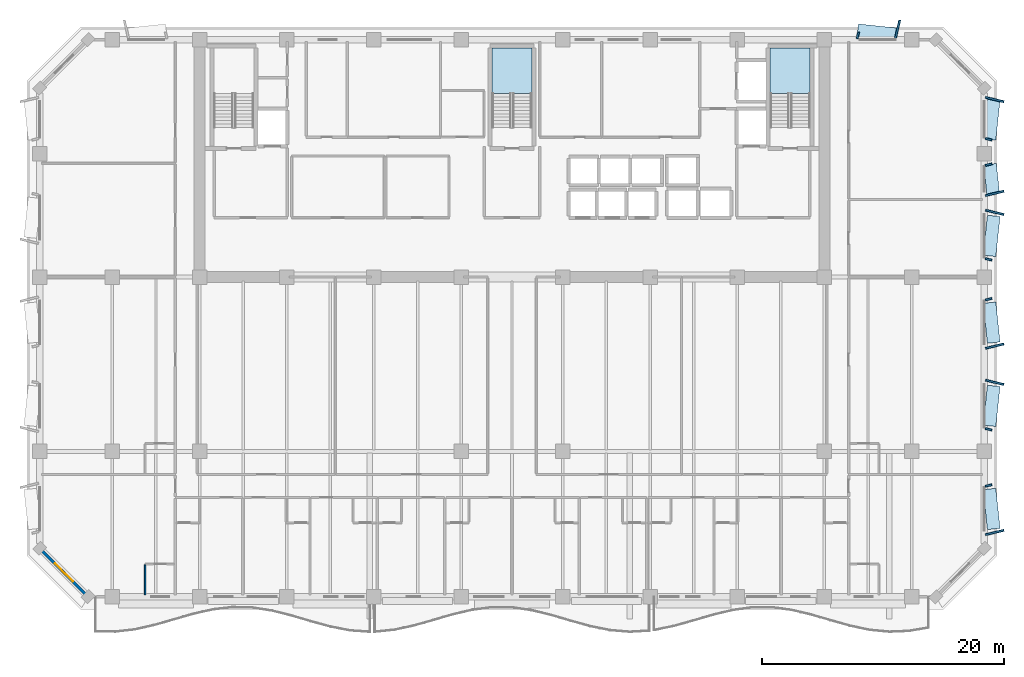
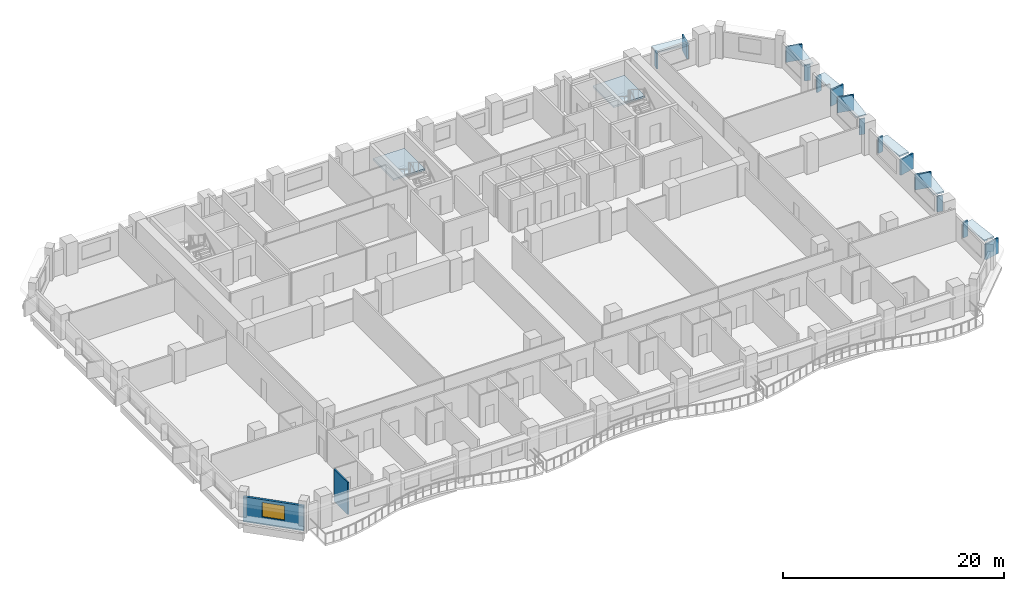
# One storey, part 3 of 15: 21 plates, 2 slabs, 2 walls, 1 window, 1 opening, 2 elements without a shape of their own.
"""IFC4 building model written with IfcOpenShell, lengths in metres."""

from ifc_helpers import new_model, si_unit, direction, frame, frame_2d, origin, origin_2d, place, context, subcontext, project, spatial, polyline, rectangle, outline, extrude, material, layer, layer_set, type_object, element, fill, aggregate, save


model = new_model("IFC4")

# Units and contexts
model_context = context("Model", 3, precision=1e-05, world=origin(), true_north=direction((0.0, 1.0)))
body_context = subcontext(model_context, "Body", "Model", "MODEL_VIEW")
ifc_project = project(units=[si_unit("LENGTHUNIT", "METRE"), si_unit("AREAUNIT", "SQUARE_METRE"), si_unit("VOLUMEUNIT", "CUBIC_METRE"), si_unit("PLANEANGLEUNIT", "RADIAN"), si_unit("MASSUNIT", "GRAM", prefix="KILO")], contexts=[model_context])

# Site, building, storey
site_placement = place(None, origin())
site = spatial("IfcSite", under=ifc_project, at=site_placement, CompositionType="ELEMENT")
building_placement = place(site_placement, origin())
building = spatial("IfcBuilding", under=site, at=building_placement, Name="Kaelvorn Grand Hotel", CompositionType="ELEMENT")
storey_placement = place(building_placement, frame((0.0, 0.0, 142.949951171875)))
storey = spatial("IfcBuildingStorey", under=building, at=storey_placement, Name="L34", CompositionType="ELEMENT", Elevation=142.949951171875)

# Plates
ifc_material_1 = material(Name="Precast concrete C45/55", Category="concrete")
ifc_layer_1 = layer(ifc_material_1, 0.159912109375)
ifc_layer_set_1 = layer_set([ifc_layer_1], Name="Precast concrete C45/55")
plate_type_1 = type_object("IfcPlateType", Name="PL-FRAME-DEEP-1550", PredefinedType="USERDEFINED", material=ifc_layer_set_1)
for number, where, z_axis, x_axis, name in (
    (1, (81.85498046875, 8.31005859375, 0.81494140625), (0.0, 0.0, 1.0), (-0.233445363856, 0.972369920398, 0.0), "L34 Tilted Precast Window Frame Fin L-E01"),
    (2, (81.85498046875, 20.705078125, 0.81494140625), (0.0, 0.0, 1.0), (0.233445363856, 0.972369920398, 0.0), "L34 Tilted Precast Window Frame Fin R-E02"),
    (3, (81.85498046875, 23.695068359375, 0.81494140625), (0.0, 0.0, 1.0), (-0.233445363856, 0.972369920398, 0.0), "L34 Tilted Precast Window Frame Fin L-E03"),
    (4, (81.85498046875, 34.739990234375, 0.81494140625), (0.0, 0.0, 1.0), (0.233445363856, 0.972369920398, 0.0), "L34 Tilted Precast Window Frame Fin R-E04"),
    (5, (81.85498046875, 36.31005859375, 0.7900390625), (0.0, 0.0, 1.0), (-0.233445363856, 0.972369920398, 0.0), "L34 Tilted Precast Window Frame Fin L-E05"),
    (6, (81.85498046875, 44.054931640625, 0.740234375), (0.0, 0.0, 1.0), (0.233445363856, 0.972369920398, 0.0), "L34 Tilted Precast Window Frame Fin R-E06"),
    (7, (73.840087890625, 49.85498046875, 0.740234375), (0.0, 0.0, 1.0), (0.972369920398, -0.233445363856, 0.0), "L34 Tilted Precast Window Frame Fin R-N02"),
):
    element("IfcPlate", number, at=place(storey_placement, frame(where, z_axis=z_axis, x_axis=x_axis)), inside=storey, type_object=plate_type_1, Name=name, ObjectType="FLANGE_PLATE", PredefinedType="USERDEFINED", context=body_context, shape_type="SweptSolid", body=[
        extrude(rectangle(XDim=0.159912109375, YDim=1.550048828125, at=origin_2d()), origin(), (0.0, 0.0, 1.0), 1.719970703125),
    ])
ifc_layer_2 = layer(ifc_material_1, 0.159912109375)
ifc_layer_set_2 = layer_set([ifc_layer_2], Name="Precast concrete C45/55")
plate_type_2 = type_object("IfcPlateType", Name="PL-FRAME-HEAD-1050", PredefinedType="USERDEFINED", material=ifc_layer_set_2)
for number, where, z_axis, x_axis, name in (
    (8, (81.60498046875, 10.25, 2.5), (0.0, 0.0, 1.0), (-0.105830199459, 0.994384215926, 0.0), "L34 Precast Window Frame Head Hood H-E01"),
    (9, (81.60498046875, 18.764892578125, 2.5), (0.0, 0.0, 1.0), (0.105830199459, 0.994384215926, 0.0), "L34 Precast Window Frame Head Hood H-E02"),
    (10, (81.60498046875, 25.635009765625, 2.5), (0.0, 0.0, 1.0), (-0.105830199459, 0.994384215926, 0.0), "L34 Precast Window Frame Head Hood H-E03"),
    (11, (81.60498046875, 32.800048828125, 2.5), (0.0, 0.0, 1.0), (0.105830199459, 0.994384215926, 0.0), "L34 Precast Window Frame Head Hood H-E04"),
):
    element("IfcPlate", number, at=place(storey_placement, frame(where, z_axis=z_axis, x_axis=x_axis)), inside=storey, type_object=plate_type_2, Name=name, ObjectType="FLANGE_PLATE", PredefinedType="USERDEFINED", context=body_context, shape_type="SweptSolid", body=[
        extrude(rectangle(XDim=3.320068359375, YDim=1.050048828125, at=origin_2d()), origin(), (0.0, 0.0, 1.0), 0.159912109375),
    ])
plate_placement = place(storey_placement, frame((81.60498046875, 37.5, 2.4501953125), z_axis=(0.0, 0.0, 1.0), x_axis=(-0.105830199459, 0.994384215926, 0.0)))
element("IfcPlate", 12, at=plate_placement, inside=storey, type_object=plate_type_2, Name="L34 Precast Window Frame Head Hood H-E05", ObjectType="FLANGE_PLATE", PredefinedType="USERDEFINED", context=body_context, shape_type="SweptSolid", body=[
    extrude(rectangle(XDim=2.4599609375, YDim=1.050048828125, at=origin_2d()), origin(), (0.0, 0.0, 1.0), 0.159912109375),
])
for number, where, z_axis, x_axis, name in (
    (13, (81.60498046875, 42.4150390625, 2.35009765625), (0.0, 0.0, 1.0), (0.105830199459, 0.994384215926, 0.0), "L34 Precast Window Frame Head Hood H-E06"),
    (14, (72.199951171875, 49.60498046875, 2.35009765625), (0.0, 0.0, 1.0), (0.994384215926, -0.105830199459, 0.0), "L34 Precast Window Frame Head Hood H-N02"),
):
    element("IfcPlate", number, at=place(storey_placement, frame(where, z_axis=z_axis, x_axis=x_axis)), inside=storey, type_object=plate_type_2, Name=name, ObjectType="FLANGE_PLATE", PredefinedType="USERDEFINED", context=body_context, shape_type="SweptSolid", body=[
        extrude(rectangle(XDim=3.320068359375, YDim=1.050048828125, at=origin_2d()), origin(), (0.0, 0.0, 1.0), 0.159912109375),
    ])
ifc_layer_3 = layer(ifc_material_1, 0.159912109375)
ifc_layer_set_3 = layer_set([ifc_layer_3], Name="Precast concrete C45/55")
plate_type_3 = type_object("IfcPlateType", Name="PL-FRAME-SHAL-550", PredefinedType="USERDEFINED", material=ifc_layer_set_3)
for number, where, z_axis, x_axis, name in (
    (15, (81.35498046875, 12.18994140625, 0.81494140625), (0.0, 0.0, 1.0), (-0.233445363856, 0.972369920398, 0.0), "L34 Tilted Precast Window Frame Fin R-E01"),
    (16, (81.35498046875, 16.824951171875, 0.81494140625), (0.0, 0.0, 1.0), (0.233445363856, 0.972369920398, 0.0), "L34 Tilted Precast Window Frame Fin L-E02"),
    (17, (81.35498046875, 27.574951171875, 0.81494140625), (0.0, 0.0, 1.0), (-0.233445363856, 0.972369920398, 0.0), "L34 Tilted Precast Window Frame Fin R-E03"),
    (18, (81.35498046875, 30.860107421875, 0.81494140625), (0.0, 0.0, 1.0), (0.233445363856, 0.972369920398, 0.0), "L34 Tilted Precast Window Frame Fin L-E04"),
    (19, (81.35498046875, 38.68994140625, 0.7900390625), (0.0, 0.0, 1.0), (-0.233445363856, 0.972369920398, 0.0), "L34 Tilted Precast Window Frame Fin R-E05"),
    (20, (81.35498046875, 40.77490234375, 0.740234375), (0.0, 0.0, 1.0), (0.233445363856, 0.972369920398, 0.0), "L34 Tilted Precast Window Frame Fin L-E06"),
    (21, (70.56005859375, 49.35498046875, 0.740234375), (0.0, 0.0, 1.0), (0.972369920398, -0.233445363856, 0.0), "L34 Tilted Precast Window Frame Fin L-N02"),
):
    element("IfcPlate", number, at=place(storey_placement, frame(where, z_axis=z_axis, x_axis=x_axis)), inside=storey, type_object=plate_type_3, Name=name, ObjectType="FLANGE_PLATE", PredefinedType="USERDEFINED", context=body_context, shape_type="SweptSolid", body=[
        extrude(rectangle(XDim=0.159912109375, YDim=0.550048828125, at=origin_2d()), origin(), (0.0, 0.0, 1.0), 1.719970703125),
    ])

# Stair, slab
ifc_material_2 = material(Name="Concrete C40/50", Category="concrete")
stair_type = type_object("IfcStairType", Name="STR-DOG-1560-R08", PredefinedType="HALF_TURN_STAIR", material=ifc_material_2)
stair_1_placement = place(storey_placement, origin())
stair_1 = element("IfcStair", 22, at=stair_1_placement, inside=storey, type_object=stair_type, Name="L34 Central Core Exit Stair ST2", PredefinedType="HALF_TURN_STAIR")
ifc_layer_4 = layer(ifc_material_2, 0.199951171875)
ifc_layer_set_4 = layer_set([ifc_layer_4], Name="Concrete C40/50")
slab_type = type_object("IfcSlabType", Name="SLB-LAND-200-C40", PredefinedType="LANDING", material=ifc_layer_set_4)
slab_1_placement = place(storey_placement, frame((0.0, 0.0, 1.699951171875)))
slab_1 = element("IfcSlab", 23, at=slab_1_placement, type_object=slab_type, Name="ST2 landing 1", PredefinedType="LANDING", context=body_context, shape_type="SweptSolid", body=[
    extrude(outline(polyline([(43.639892578125, 44.56005859375), (43.639892578125, 48.300048828125), (40.360107421875, 48.300048828125), (40.360107421875, 44.56005859375), (43.639892578125, 44.56005859375)])), origin(), (0.0, 0.0, 1.0), 0.2001953125),
])
aggregate(stair_1, [slab_1])

stair_2_placement = place(storey_placement, origin())
stair_2 = element("IfcStair", 24, at=stair_2_placement, inside=storey, type_object=stair_type, Name="L34 East Core Exit Stair ST3", PredefinedType="HALF_TURN_STAIR")
slab_2_placement = place(storey_placement, frame((0.0, 0.0, 1.699951171875)))
slab_2 = element("IfcSlab", 25, at=slab_2_placement, type_object=slab_type, Name="ST3 landing 1", PredefinedType="LANDING", context=body_context, shape_type="SweptSolid", body=[
    extrude(outline(polyline([(66.60009765625, 44.56005859375), (66.60009765625, 48.300048828125), (63.320068359375, 48.300048828125), (63.320068359375, 44.56005859375), (66.60009765625, 44.56005859375)])), origin(), (0.0, 0.0, 1.0), 0.2001953125),
])
aggregate(stair_2, [slab_2])

# Wall, opening, window
ifc_layer_5 = layer(ifc_material_2, 0.239990234375)
ifc_layer_set_5 = layer_set([ifc_layer_5], Name="Concrete C40/50")
wall_type_1 = type_object("IfcWallType", Name="WL-EXT-240-C40", PredefinedType="SOLIDWALL", material=ifc_layer_set_5)
wall_1_placement = place(storey_placement, frame((3.0, 7.0, 0.0), z_axis=(0.0, 0.0, 1.0), x_axis=(0.707106781187, -0.707106781187, 0.0)))
wall_1 = element("IfcWall", 26, at=wall_1_placement, inside=storey, type_object=wall_type_1, Name="L34 Exterior Architectural Concrete Wall 08", PredefinedType="SOLIDWALL", context=body_context, shape_type="SweptSolid", body=[
    extrude(rectangle(XDim=5.65673828125, YDim=0.239990234375, at=frame_2d((2.828369140625, 0.0))), origin(), (0.0, 0.0, 1.0), 2.760009765625),
])
opening_placement = place(wall_1_placement, frame((1.7783203125, 0.0, 0.85009765625)))
opening = element("IfcOpeningElement", 27, at=opening_placement, cuts=wall_1, Name="Opening W7", PredefinedType="OPENING", context=body_context, shape_type="SweptSolid", body=[
    extrude(rectangle(XDim=2.10009765625, YDim=1.60009765625, at=frame_2d((1.050048828125, 0.800048828125))), frame((0.0, 0.1298828125, 0.0), z_axis=(0.0, -1.0, 0.0), x_axis=(1.0, 0.0, 0.0)), (0.0, 0.0, 1.0), 0.260009765625),
])
ifc_material_3 = material(Name="Laminated Low-E Glass", Category="glass")
window_type = type_object("IfcWindowType", Name="WIN-CHM-2100x1600", PartitioningType="SINGLE_PANEL", PredefinedType="WINDOW", material=ifc_material_3)
window_placement = place(opening_placement, origin())
window = element("IfcWindow", 28, at=window_placement, inside=storey, type_object=window_type, Name="L34 Chamfered 45-Degree Corner Window SW", OverallHeight=1.60009765625, OverallWidth=2.10009765625, PartitioningType="SINGLE_PANEL", PredefinedType="WINDOW", context=body_context, shape_type="SweptSolid", body=[
    extrude(rectangle(XDim=2.10009765625, YDim=1.60009765625, at=frame_2d((1.050048828125, 0.800048828125))), frame((0.0, 0.030029296875, 0.0), z_axis=(0.0, -1.0, 0.0), x_axis=(1.0, 0.0, 0.0)), (0.0, 0.0, 1.0), 0.06005859375),
])
fill(opening, window)

# Wall
ifc_material_4 = material(Name="Moisture-Resistant Tile & Stud Board")
ifc_layer_6 = layer(ifc_material_4, 0.125)
ifc_layer_set_6 = layer_set([ifc_layer_6], Name="Moisture-Resistant Tile & Stud Board")
wall_type_2 = type_object("IfcWallType", Name="WL-PART-125-WET", PredefinedType="PARTITIONING", material=ifc_layer_set_6)
wall_2_placement = place(storey_placement, frame((11.699951171875, 3.14990234375, 0.0), z_axis=(0.0, 0.0, 1.0), x_axis=(0.0, 1.0, 0.0)))
element("IfcWall", 29, at=wall_2_placement, inside=storey, type_object=wall_type_2, Name="L34 En-suite Bathroom L34-11 W Partition", PredefinedType="PARTITIONING", context=body_context, shape_type="SweptSolid", body=[
    extrude(rectangle(XDim=2.482666015625, YDim=0.125, at=frame_2d((1.2412109375, 0.0))), origin(), (0.0, 0.0, 1.0), 3.56005859375),
])

save(model, "model.ifc")
